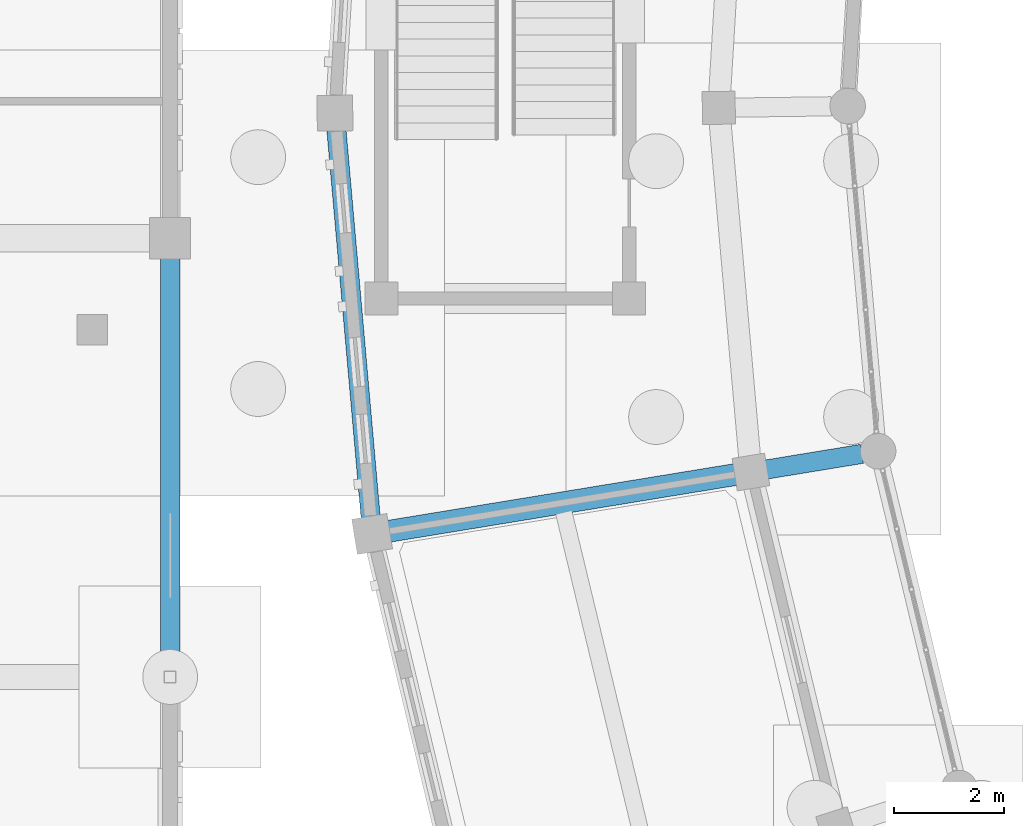
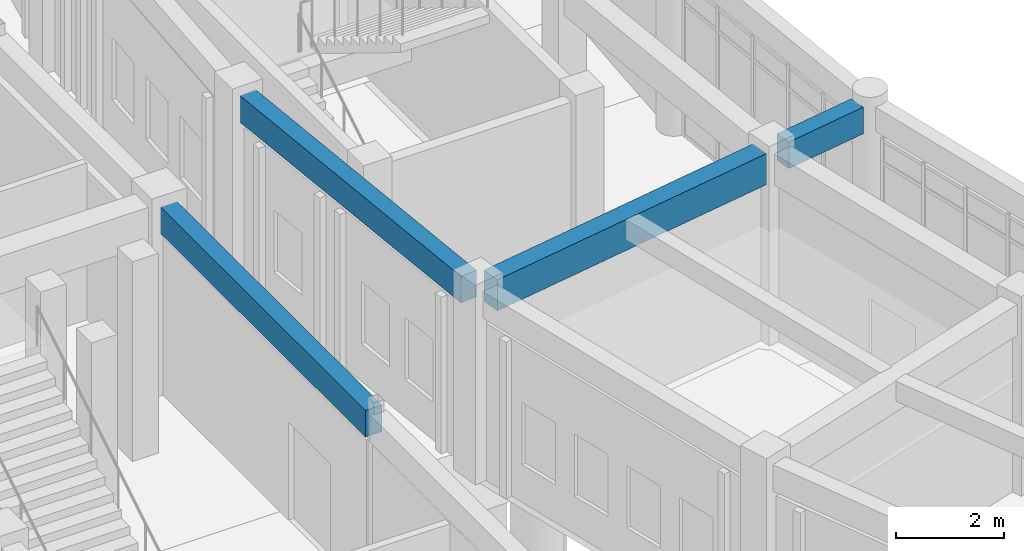
# One storey, part 33 of 153: 4 beams.
"""IFC4 building model written with IfcOpenShell, lengths in metres."""

from ifc_helpers import new_model, si_unit, direction, frame, origin, origin_2d, place, context, subcontext, project, spatial, rectangle, extrude, material, material_profile, profile_set, type_object, element, save


model = new_model("IFC4")

# Units and contexts
model_context = context("Model", 3, precision=1e-05, world=origin(), true_north=direction((0.0, 1.0)))
body_context = subcontext(model_context, "Body", "Model", "MODEL_VIEW")
ifc_project = project(units=[si_unit("LENGTHUNIT", "METRE"), si_unit("AREAUNIT", "SQUARE_METRE"), si_unit("VOLUMEUNIT", "CUBIC_METRE"), si_unit("PLANEANGLEUNIT", "RADIAN"), si_unit("MASSUNIT", "GRAM", prefix="KILO")], contexts=[model_context])

# Site, building, storey
site_placement = place(None, origin())
site = spatial("IfcSite", under=ifc_project, at=site_placement, CompositionType="ELEMENT")
building_placement = place(site_placement, origin())
building = spatial("IfcBuilding", under=site, at=building_placement, Name="Celadon Cloister-Ring School", CompositionType="ELEMENT")
storey_placement = place(building_placement, origin())
storey = spatial("IfcBuildingStorey", under=building, at=storey_placement, Name="L00", CompositionType="ELEMENT", Elevation=0.0)

# Beams
ifc_material_1 = material(Name="Concrete C35/45", Category="concrete")
ifc_material_profile_1 = material_profile(ifc_material_1, rectangle(XDim=0.35009765625, YDim=0.60009765625, at=origin_2d()), Name="RC350X600")
ifc_profile_set_1 = profile_set([ifc_material_profile_1], Name="Concrete C35/45")
beam_type_1 = type_object("IfcBeamType", Name="BT-02", PredefinedType="BEAM", material=ifc_profile_set_1)
beam_1_placement = place(storey_placement, frame((42.861083984375, 51.781005859375, 3.97998046875), z_axis=(0.986836301375, 0.161722337015, 0.0), x_axis=(-0.161722337015, 0.986836301375, 0.0)))
element("IfcBeam", 1, at=beam_1_placement, inside=storey, type_object=beam_type_1, Name="Beam 0017", PredefinedType="BEAM", context=body_context, shape_type="SweptSolid", body=[
    extrude(rectangle(XDim=0.35009765625, YDim=0.60009765625, at=origin_2d()), origin(), (0.0, 0.0, 1.0), 1.775390625),
])
beam_2_placement = place(storey_placement, frame((32.0, 48.0849609375, 3.93994140625), z_axis=(0.0, 1.0, 0.0), x_axis=(-1.0, 0.0, 0.0)))
element("IfcBeam", 2, at=beam_2_placement, inside=storey, type_object=beam_type_1, Name="Beam 1505", PredefinedType="BEAM", context=body_context, shape_type="SweptSolid", body=[
    extrude(rectangle(XDim=0.35009765625, YDim=0.60009765625, at=origin_2d()), origin(), (0.0, 0.0, 1.0), 7.56494140625),
])
ifc_material_2 = material(Name="Concrete C35/45", Category="concrete")
ifc_material_profile_2 = material_profile(ifc_material_2, rectangle(XDim=0.39990234375, YDim=0.699951171875, at=origin_2d()), Name="RC400X700")
ifc_profile_set_2 = profile_set([ifc_material_profile_2], Name="Concrete C35/45")
beam_type_2 = type_object("IfcBeamType", Name="GT-03", PredefinedType="USERDEFINED", material=ifc_profile_set_2)
beam_3_placement = place(storey_placement, frame((35.97802734375, 50.655029296875, 3.929931640625), z_axis=(0.986863240462, 0.161557867726, 0.0), x_axis=(-0.161557867726, 0.986863240462, 0.0)))
element("IfcBeam", 3, at=beam_3_placement, inside=storey, type_object=beam_type_2, Name="Beam 0016", ObjectType="GIRDER", PredefinedType="USERDEFINED", context=body_context, shape_type="SweptSolid", body=[
    extrude(rectangle(XDim=0.39990234375, YDim=0.699951171875, at=origin_2d()), origin(), (0.0, 0.0, 1.0), 6.425537109375),
])
ifc_material_3 = material(Name="Concrete C35/45", Category="concrete")
ifc_material_profile_3 = material_profile(ifc_material_3, rectangle(XDim=0.35009765625, YDim=0.60009765625, at=origin_2d()), Name="RC350X600")
ifc_profile_set_3 = profile_set([ifc_material_profile_3], Name="Concrete C35/45")
beam_type_3 = type_object("IfcBeamType", Name="SP-01", PredefinedType="SPANDREL", material=ifc_profile_set_3)
beam_4_placement = place(storey_placement, frame((35.031005859375, 57.98193359375, 3.97998046875), z_axis=(0.087985087375, -0.996121791951, 0.0), x_axis=(0.996121791951, 0.087985087375, 0.0)))
element("IfcBeam", 4, at=beam_4_placement, inside=storey, type_object=beam_type_3, Name="Beam 0096", PredefinedType="SPANDREL", context=body_context, shape_type="SweptSolid", body=[
    extrude(rectangle(XDim=0.35009765625, YDim=0.60009765625, at=origin_2d()), origin(), (0.0, 0.0, 1.0), 7.103515625),
])

save(model, "model.ifc")
